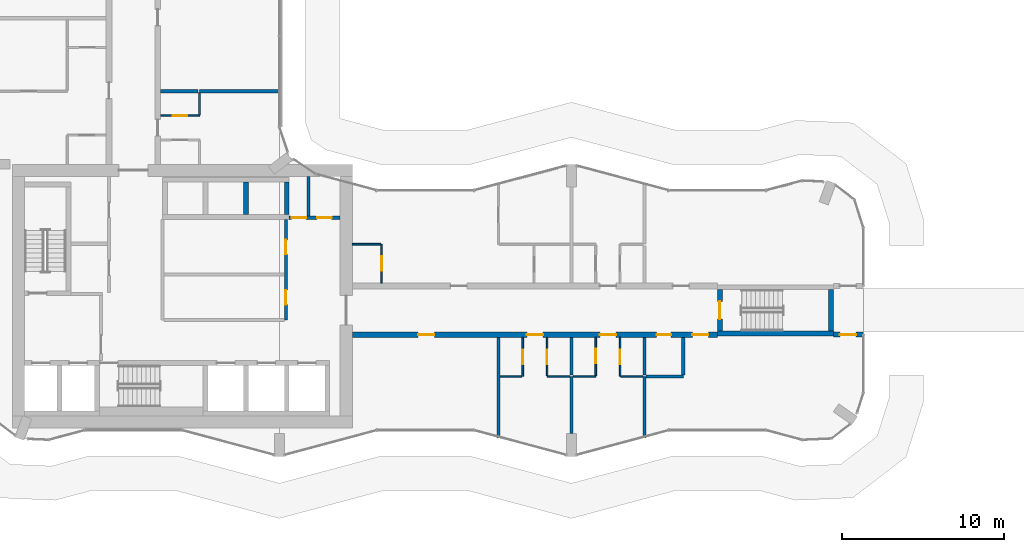
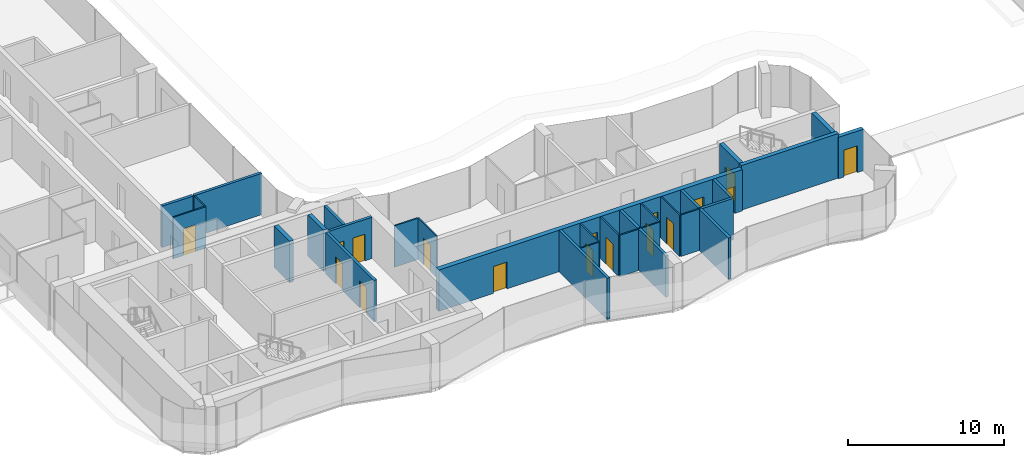
# One storey, part 15 of 24: 31 walls, 17 doors, 17 openings.
"""IFC4 building model written with IfcOpenShell, lengths in metres."""

from ifc_helpers import new_model, si_unit, direction, frame, frame_2d, origin, place, context, subcontext, project, spatial, rectangle, extrude, material, layer, layer_set, type_object, element, fill, save


model = new_model("IFC4")

# Units and contexts
model_context = context("Model", 3, precision=1e-05, world=origin(), true_north=direction((0.0, 1.0)))
body_context = subcontext(model_context, "Body", "Model", "MODEL_VIEW")
ifc_project = project(units=[si_unit("LENGTHUNIT", "METRE"), si_unit("AREAUNIT", "SQUARE_METRE"), si_unit("VOLUMEUNIT", "CUBIC_METRE"), si_unit("PLANEANGLEUNIT", "RADIAN"), si_unit("MASSUNIT", "GRAM", prefix="KILO")], contexts=[model_context])

# Site, building, storey
site_placement = place(None, origin())
site = spatial("IfcSite", under=ifc_project, at=site_placement, CompositionType="ELEMENT")
building_placement = place(site_placement, origin())
building = spatial("IfcBuilding", under=site, at=building_placement, Name="Plateau Cross Towers", CompositionType="ELEMENT")
storey_placement = place(building_placement, frame((0.0, 0.0, 30.300048828125)))
storey = spatial("IfcBuildingStorey", under=building, at=storey_placement, Name="L06", CompositionType="ELEMENT", Elevation=30.300048828125)

# Wall, opening, door
ifc_material_1 = material(Name="Concrete C60/75", Category="concrete")
ifc_layer_1 = layer(ifc_material_1, 0.300048828125)
ifc_layer_set_1 = layer_set([ifc_layer_1], Name="Concrete C60/75")
wall_type_1 = type_object("IfcWallType", Name="Bridge stub wall 300", PredefinedType="SHEAR", material=ifc_layer_set_1)
wall_1_placement = place(storey_placement, frame((52.14990234375, 7.5, 0.0), z_axis=(0.0, 0.0, 1.0), x_axis=(1.0, 0.0, 0.0)))
wall_1 = element("IfcWall", 1, at=wall_1_placement, inside=storey, type_object=wall_type_1, Name="A-end-E-bridge-S@L06", PredefinedType="SHEAR", context=body_context, shape_type="SweptSolid", body=[
    extrude(rectangle(XDim=1.85009765625, YDim=0.300048828125, at=frame_2d((0.925048828125, 0.0))), origin(), (0.0, 0.0, 1.0), 3.25),
])
opening_1_placement = place(wall_1_placement, frame((0.39990234375, 0.0, 0.0)))
opening_1 = element("IfcOpeningElement", 2, at=opening_1_placement, cuts=wall_1, Name="Opening 06-39", PredefinedType="OPENING", context=body_context, shape_type="SweptSolid", body=[
    extrude(rectangle(XDim=1.0, YDim=2.10009765625, at=frame_2d((0.5, 1.050048828125))), frame((0.0, 0.159912109375, 0.0), z_axis=(0.0, -1.0, 0.0), x_axis=(1.0, 0.0, 0.0)), (0.0, 0.0, 1.0), 0.320068359375),
])
ifc_material_2 = material(Name="Timber, fire-resisting leaf", Category="wood")
door_type_1 = type_object("IfcDoorType", Name="Link lounge fire door 1000", OperationType="NOTDEFINED", PredefinedType="DOOR", material=ifc_material_2)
door_1_placement = place(opening_1_placement, origin())
door_1 = element("IfcDoor", 3, at=door_1_placement, inside=storey, type_object=door_type_1, Name="Door 06-39", OperationType="SINGLE_SWING_LEFT", OverallHeight=2.10009765625, OverallWidth=1.0, PredefinedType="DOOR", context=body_context, shape_type="SweptSolid", body=[
    extrude(rectangle(XDim=1.0, YDim=2.10009765625, at=frame_2d((0.5, 1.050048828125))), frame((0.0, 0.02490234375, 0.0), z_axis=(0.0, -1.0, 0.0), x_axis=(1.0, 0.0, 0.0)), (0.0, 0.0, 1.0), 0.050048828125),
])
fill(opening_1, door_1)

# Wall, openings, doors
ifc_material_3 = material(Name="Concrete block, plastered both sides", Category="concrete")
ifc_layer_2 = layer(ifc_material_3, 0.199951171875)
ifc_layer_set_2 = layer_set([ifc_layer_2], Name="Concrete block, plastered both sides")
wall_type_2 = type_object("IfcWallType", Name="Core partition 200", PredefinedType="PARTITIONING", material=ifc_layer_set_2)
wall_2_placement = place(storey_placement, frame((18.39990234375, 8.39990234375, 0.0), z_axis=(0.0, 0.0, 1.0), x_axis=(0.0, 1.0, 0.0)))
wall_2 = element("IfcWall", 4, at=wall_2_placement, inside=storey, type_object=wall_type_2, Name="Core partition", PredefinedType="PARTITIONING", context=body_context, shape_type="SweptSolid", body=[
    extrude(rectangle(XDim=6.2001953125, YDim=0.199951171875, at=frame_2d((3.10009765625, 0.0))), origin(), (0.0, 0.0, 1.0), 3.25),
])
opening_2_placement = place(wall_2_placement, frame((0.949951171875, 0.0, 0.0)))
opening_2 = element("IfcOpeningElement", 5, at=opening_2_placement, cuts=wall_2, Name="Opening RD1", PredefinedType="OPENING", context=body_context, shape_type="SweptSolid", body=[
    extrude(rectangle(XDim=0.89990234375, YDim=2.10009765625, at=frame_2d((0.449951171875, 1.050048828125))), frame((0.0, 0.10986328125, 0.0), z_axis=(0.0, -1.0, 0.0), x_axis=(1.0, 0.0, 0.0)), (0.0, 0.0, 1.0), 0.219970703125),
])
opening_3_placement = place(wall_2_placement, frame((4.050048828125, 0.0, 0.0)))
opening_3 = element("IfcOpeningElement", 6, at=opening_3_placement, cuts=wall_2, Name="Opening RD1", PredefinedType="OPENING", context=body_context, shape_type="SweptSolid", body=[
    extrude(rectangle(XDim=0.89990234375, YDim=2.10009765625, at=frame_2d((0.449951171875, 1.050048828125))), frame((0.0, 0.10986328125, 0.0), z_axis=(0.0, -1.0, 0.0), x_axis=(1.0, 0.0, 0.0)), (0.0, 0.0, 1.0), 0.219970703125),
])
door_type_2 = type_object("IfcDoorType", Name="Core service door 900", OperationType="NOTDEFINED", PredefinedType="DOOR", material=ifc_material_2)
door_2_placement = place(opening_2_placement, origin())
door_2 = element("IfcDoor", 7, at=door_2_placement, inside=storey, type_object=door_type_2, Name="Core service door RD1", OperationType="SINGLE_SWING_LEFT", OverallHeight=2.10009765625, OverallWidth=0.89990234375, PredefinedType="DOOR", context=body_context, shape_type="SweptSolid", body=[
    extrude(rectangle(XDim=0.89990234375, YDim=2.10009765625, at=frame_2d((0.449951171875, 1.050048828125))), frame((0.0, 0.02490234375, 0.0), z_axis=(0.0, -1.0, 0.0), x_axis=(1.0, 0.0, 0.0)), (0.0, 0.0, 1.0), 0.050048828125),
])
fill(opening_2, door_2)
door_3_placement = place(opening_3_placement, origin())
door_3 = element("IfcDoor", 8, at=door_3_placement, inside=storey, type_object=door_type_2, Name="Core service door RD1", OperationType="SINGLE_SWING_LEFT", OverallHeight=2.10009765625, OverallWidth=0.89990234375, PredefinedType="DOOR", context=body_context, shape_type="SweptSolid", body=[
    extrude(rectangle(XDim=0.89990234375, YDim=2.10009765625, at=frame_2d((0.449951171875, 1.050048828125))), frame((0.0, 0.02490234375, 0.0), z_axis=(0.0, -1.0, 0.0), x_axis=(1.0, 0.0, 0.0)), (0.0, 0.0, 1.0), 0.050048828125),
])
fill(opening_3, door_3)

wall_3_placement = place(storey_placement, frame((18.60009765625, 14.699951171875, 0.0), z_axis=(0.0, 0.0, 1.0), x_axis=(1.0, 0.0, 0.0)))
wall_3 = element("IfcWall", 9, at=wall_3_placement, inside=storey, type_object=wall_type_2, Name="Core partition", PredefinedType="PARTITIONING", context=body_context, shape_type="SweptSolid", body=[
    extrude(rectangle(XDim=3.14990234375, YDim=0.199951171875, at=frame_2d((1.574951171875, 0.0))), origin(), (0.0, 0.0, 1.0), 3.25),
])
opening_4_placement = place(wall_3_placement, frame((0.14990234375, 0.0, 0.0)))
opening_4 = element("IfcOpeningElement", 10, at=opening_4_placement, cuts=wall_3, Name="Opening RD2", PredefinedType="OPENING", context=body_context, shape_type="SweptSolid", body=[
    extrude(rectangle(XDim=0.89990234375, YDim=2.10009765625, at=frame_2d((0.449951171875, 1.050048828125))), frame((0.0, 0.10986328125, 0.0), z_axis=(0.0, -1.0, 0.0), x_axis=(1.0, 0.0, 0.0)), (0.0, 0.0, 1.0), 0.219970703125),
])
opening_5_placement = place(wall_3_placement, frame((1.72509765625, 0.0, 0.0)))
opening_5 = element("IfcOpeningElement", 11, at=opening_5_placement, cuts=wall_3, Name="Opening RD2", PredefinedType="OPENING", context=body_context, shape_type="SweptSolid", body=[
    extrude(rectangle(XDim=0.89990234375, YDim=2.10009765625, at=frame_2d((0.449951171875, 1.050048828125))), frame((0.0, 0.10986328125, 0.0), z_axis=(0.0, -1.0, 0.0), x_axis=(1.0, 0.0, 0.0)), (0.0, 0.0, 1.0), 0.219970703125),
])
ifc_material_4 = material(Name="Steel, fire-resisting leaf", Category="steel")
door_type_3 = type_object("IfcDoorType", Name="Core riser door 900", OperationType="NOTDEFINED", PredefinedType="DOOR", material=ifc_material_4)
door_4_placement = place(opening_4_placement, origin())
door_4 = element("IfcDoor", 12, at=door_4_placement, inside=storey, type_object=door_type_3, Name="Core riser door RD2", OperationType="SINGLE_SWING_LEFT", OverallHeight=2.10009765625, OverallWidth=0.89990234375, PredefinedType="DOOR", context=body_context, shape_type="SweptSolid", body=[
    extrude(rectangle(XDim=0.89990234375, YDim=2.10009765625, at=frame_2d((0.449951171875, 1.050048828125))), frame((0.0, 0.02490234375, 0.0), z_axis=(0.0, -1.0, 0.0), x_axis=(1.0, 0.0, 0.0)), (0.0, 0.0, 1.0), 0.050048828125),
])
fill(opening_4, door_4)
door_5_placement = place(opening_5_placement, origin())
door_5 = element("IfcDoor", 13, at=door_5_placement, inside=storey, type_object=door_type_3, Name="Core riser door RD2", OperationType="SINGLE_SWING_LEFT", OverallHeight=2.10009765625, OverallWidth=0.89990234375, PredefinedType="DOOR", context=body_context, shape_type="SweptSolid", body=[
    extrude(rectangle(XDim=0.89990234375, YDim=2.10009765625, at=frame_2d((0.449951171875, 1.050048828125))), frame((0.0, 0.02490234375, 0.0), z_axis=(0.0, -1.0, 0.0), x_axis=(1.0, 0.0, 0.0)), (0.0, 0.0, 1.0), 0.050048828125),
])
fill(opening_5, door_5)

# Walls
wall_4_placement = place(storey_placement, frame((19.800048828125, 14.800048828125, 0.0), z_axis=(0.0, 0.0, 1.0), x_axis=(0.0, 1.0, 0.0)))
element("IfcWall", 14, at=wall_4_placement, inside=storey, type_object=wall_type_2, Name="Core partition", PredefinedType="PARTITIONING", context=body_context, shape_type="SweptSolid", body=[
    extrude(rectangle(XDim=2.449951171875, YDim=0.199951171875, at=frame_2d((1.22509765625, 0.0))), origin(), (0.0, 0.0, 1.0), 3.25),
])
ifc_layer_3 = layer(ifc_material_1, 0.300048828125)
ifc_layer_set_3 = layer_set([ifc_layer_3], Name="Concrete C60/75")
wall_type_3 = type_object("IfcWallType", Name="Core shaft wall 300", PredefinedType="SHEAR", material=ifc_layer_set_3)
for number, where, z_axis, x_axis, name in (
    (15, (15.949951171875, 14.89990234375, 0.0), (0.0, 0.0, 1.0), (0.0, 1.0, 0.0), "A-nb-v3@L06"),
    (16, (18.449951171875, 14.89990234375, 0.0), (0.0, 0.0, 1.0), (0.0, 1.0, 0.0), "A-nb-v4@L06"),
):
    element("IfcWall", number, at=place(storey_placement, frame(where, z_axis=z_axis, x_axis=x_axis)), inside=storey, type_object=wall_type_3, Name=name, PredefinedType="SHEAR", context=body_context, shape_type="SweptSolid", body=[
        extrude(rectangle(XDim=2.0, YDim=0.300048828125, at=frame_2d((1.0, 0.0))), origin(), (0.0, 0.0, 1.0), 3.25),
    ])

# Wall, openings, doors
ifc_layer_4 = layer(ifc_material_1, 0.35009765625)
ifc_layer_set_4 = layer_set([ifc_layer_4], Name="Concrete C60/75")
wall_type_4 = type_object("IfcWallType", Name="Corridor wall 350", PredefinedType="SHEAR", material=ifc_layer_set_4)
wall_5_placement = place(storey_placement, frame((22.5, 7.5, 0.0), z_axis=(0.0, 0.0, 1.0), x_axis=(1.0, 0.0, 0.0)))
wall_5 = element("IfcWall", 17, at=wall_5_placement, inside=storey, type_object=wall_type_4, Name="A-cw-S1@L06", PredefinedType="SHEAR", context=body_context, shape_type="SweptSolid", body=[
    extrude(rectangle(XDim=22.5, YDim=0.35009765625, at=frame_2d((11.25, 0.0))), origin(), (0.0, 0.0, 1.0), 3.25),
])
opening_6_placement = place(wall_5_placement, frame((4.050048828125, 0.0, 0.0)))
opening_6 = element("IfcOpeningElement", 18, at=opening_6_placement, cuts=wall_5, Name="Opening 06-01", PredefinedType="OPENING", context=body_context, shape_type="SweptSolid", body=[
    extrude(rectangle(XDim=1.0, YDim=2.10009765625, at=frame_2d((0.5, 1.050048828125))), frame((0.0, 0.18505859375, 0.0), z_axis=(0.0, -1.0, 0.0), x_axis=(1.0, 0.0, 0.0)), (0.0, 0.0, 1.0), 0.3701171875),
])
opening_7_placement = place(wall_5_placement, frame((10.75, 0.0, 0.0)))
opening_7 = element("IfcOpeningElement", 19, at=opening_7_placement, cuts=wall_5, Name="Opening 06-02", PredefinedType="OPENING", context=body_context, shape_type="SweptSolid", body=[
    extrude(rectangle(XDim=1.0, YDim=2.10009765625, at=frame_2d((0.5, 1.050048828125))), frame((0.0, 0.18505859375, 0.0), z_axis=(0.0, -1.0, 0.0), x_axis=(1.0, 0.0, 0.0)), (0.0, 0.0, 1.0), 0.3701171875),
])
opening_8_placement = place(wall_5_placement, frame((15.25, 0.0, 0.0)))
opening_8 = element("IfcOpeningElement", 20, at=opening_8_placement, cuts=wall_5, Name="Opening 06-03", PredefinedType="OPENING", context=body_context, shape_type="SweptSolid", body=[
    extrude(rectangle(XDim=1.0, YDim=2.10009765625, at=frame_2d((0.5, 1.050048828125))), frame((0.0, 0.18505859375, 0.0), z_axis=(0.0, -1.0, 0.0), x_axis=(1.0, 0.0, 0.0)), (0.0, 0.0, 1.0), 0.3701171875),
])
opening_9_placement = place(wall_5_placement, frame((18.75, 0.0, 0.0)))
opening_9 = element("IfcOpeningElement", 21, at=opening_9_placement, cuts=wall_5, Name="Opening 06-04", PredefinedType="OPENING", context=body_context, shape_type="SweptSolid", body=[
    extrude(rectangle(XDim=0.89990234375, YDim=2.10009765625, at=frame_2d((0.449951171875, 1.050048828125))), frame((0.0, 0.18505859375, 0.0), z_axis=(0.0, -1.0, 0.0), x_axis=(1.0, 0.0, 0.0)), (0.0, 0.0, 1.0), 0.3701171875),
])
opening_10_placement = place(wall_5_placement, frame((20.949951171875, 0.0, 0.0)))
opening_10 = element("IfcOpeningElement", 22, at=opening_10_placement, cuts=wall_5, Name="Opening 06-05", PredefinedType="OPENING", context=body_context, shape_type="SweptSolid", body=[
    extrude(rectangle(XDim=1.0, YDim=2.10009765625, at=frame_2d((0.5, 1.050048828125))), frame((0.0, 0.18505859375, 0.0), z_axis=(0.0, -1.0, 0.0), x_axis=(1.0, 0.0, 0.0)), (0.0, 0.0, 1.0), 0.3701171875),
])
door_type_4 = type_object("IfcDoorType", Name="Flat entrance door 1000", OperationType="NOTDEFINED", PredefinedType="DOOR", material=ifc_material_2)
door_6_placement = place(opening_6_placement, origin())
door_6 = element("IfcDoor", 23, at=door_6_placement, inside=storey, type_object=door_type_4, Name="Door 06-01", OperationType="SINGLE_SWING_LEFT", OverallHeight=2.10009765625, OverallWidth=1.0, PredefinedType="DOOR", context=body_context, shape_type="SweptSolid", body=[
    extrude(rectangle(XDim=1.0, YDim=2.10009765625, at=frame_2d((0.5, 1.050048828125))), frame((0.0, 0.02490234375, 0.0), z_axis=(0.0, -1.0, 0.0), x_axis=(1.0, 0.0, 0.0)), (0.0, 0.0, 1.0), 0.050048828125),
])
fill(opening_6, door_6)
door_7_placement = place(opening_7_placement, origin())
door_7 = element("IfcDoor", 24, at=door_7_placement, inside=storey, type_object=door_type_4, Name="Door 06-02", OperationType="SINGLE_SWING_LEFT", OverallHeight=2.10009765625, OverallWidth=1.0, PredefinedType="DOOR", context=body_context, shape_type="SweptSolid", body=[
    extrude(rectangle(XDim=1.0, YDim=2.10009765625, at=frame_2d((0.5, 1.050048828125))), frame((0.0, 0.02490234375, 0.0), z_axis=(0.0, -1.0, 0.0), x_axis=(1.0, 0.0, 0.0)), (0.0, 0.0, 1.0), 0.050048828125),
])
fill(opening_7, door_7)
door_8_placement = place(opening_8_placement, origin())
door_8 = element("IfcDoor", 25, at=door_8_placement, inside=storey, type_object=door_type_4, Name="Door 06-03", OperationType="SINGLE_SWING_RIGHT", OverallHeight=2.10009765625, OverallWidth=1.0, PredefinedType="DOOR", context=body_context, shape_type="SweptSolid", body=[
    extrude(rectangle(XDim=1.0, YDim=2.10009765625, at=frame_2d((0.5, 1.050048828125))), frame((0.0, 0.02490234375, 0.0), z_axis=(0.0, -1.0, 0.0), x_axis=(1.0, 0.0, 0.0)), (0.0, 0.0, 1.0), 0.050048828125),
])
fill(opening_8, door_8)
door_9_placement = place(opening_10_placement, origin())
door_9 = element("IfcDoor", 26, at=door_9_placement, inside=storey, type_object=door_type_4, Name="Door 06-05", OperationType="SINGLE_SWING_RIGHT", OverallHeight=2.10009765625, OverallWidth=1.0, PredefinedType="DOOR", context=body_context, shape_type="SweptSolid", body=[
    extrude(rectangle(XDim=1.0, YDim=2.10009765625, at=frame_2d((0.5, 1.050048828125))), frame((0.0, 0.02490234375, 0.0), z_axis=(0.0, -1.0, 0.0), x_axis=(1.0, 0.0, 0.0)), (0.0, 0.0, 1.0), 0.050048828125),
])
fill(opening_10, door_9)
door_type_5 = type_object("IfcDoorType", Name="Flat floor service door 900", OperationType="NOTDEFINED", PredefinedType="DOOR", material=ifc_material_2)
door_10_placement = place(opening_9_placement, origin())
door_10 = element("IfcDoor", 27, at=door_10_placement, inside=storey, type_object=door_type_5, Name="Door 06-04", OperationType="SINGLE_SWING_RIGHT", OverallHeight=2.10009765625, OverallWidth=0.89990234375, PredefinedType="DOOR", context=body_context, shape_type="SweptSolid", body=[
    extrude(rectangle(XDim=0.89990234375, YDim=2.10009765625, at=frame_2d((0.449951171875, 1.050048828125))), frame((0.0, 0.02490234375, 0.0), z_axis=(0.0, -1.0, 0.0), x_axis=(1.0, 0.0, 0.0)), (0.0, 0.0, 1.0), 0.050048828125),
])
fill(opening_9, door_10)

# Walls
ifc_material_5 = material(Name="Gypsum board on steel studs", Category="steel")
ifc_layer_5 = layer(ifc_material_5, 0.10009765625)
ifc_layer_set_5 = layer_set([ifc_layer_5], Name="Gypsum board on steel studs")
wall_type_5 = type_object("IfcWallType", Name="Flat partition 100", PredefinedType="PARTITIONING", material=ifc_layer_set_5)
wall_6_placement = place(storey_placement, frame((31.60009765625, 4.925048828125, 0.0), z_axis=(0.0, 0.0, 1.0), x_axis=(1.0, 0.0, 0.0)))
element("IfcWall", 28, at=wall_6_placement, inside=storey, type_object=wall_type_5, Name="Partition wall", PredefinedType="PARTITIONING", context=body_context, shape_type="SweptSolid", body=[
    extrude(rectangle(XDim=1.349853515625, YDim=0.10009765625, at=frame_2d((0.6748046875, 0.0))), origin(), (0.0, 0.0, 1.0), 3.25),
])
for number, where, z_axis, x_axis, name in (
    (29, (34.5, 4.925048828125, 0.0), (0.0, 0.0, 1.0), (1.0, 0.0, 0.0), "Partition wall"),
    (30, (36.10009765625, 4.925048828125, 0.0), (0.0, 0.0, 1.0), (1.0, 0.0, 0.0), "Partition wall"),
):
    element("IfcWall", number, at=place(storey_placement, frame(where, z_axis=z_axis, x_axis=x_axis)), inside=storey, type_object=wall_type_5, Name=name, PredefinedType="PARTITIONING", context=body_context, shape_type="SweptSolid", body=[
        extrude(rectangle(XDim=1.39990234375, YDim=0.10009765625, at=frame_2d((0.699951171875, 0.0))), origin(), (0.0, 0.0, 1.0), 3.25),
    ])
wall_7_placement = place(storey_placement, frame((39.050048828125, 4.925048828125, 0.0), z_axis=(0.0, 0.0, 1.0), x_axis=(1.0, 0.0, 0.0)))
element("IfcWall", 31, at=wall_7_placement, inside=storey, type_object=wall_type_5, Name="Partition wall", PredefinedType="PARTITIONING", context=body_context, shape_type="SweptSolid", body=[
    extrude(rectangle(XDim=1.349853515625, YDim=0.10009765625, at=frame_2d((0.6748046875, 0.0))), origin(), (0.0, 0.0, 1.0), 3.25),
])
wall_8_placement = place(storey_placement, frame((24.25, 13.074951171875, 0.0), z_axis=(0.0, 0.0, 1.0), x_axis=(-1.0, 0.0, 0.0)))
element("IfcWall", 32, at=wall_8_placement, inside=storey, type_object=wall_type_5, Name="Partition wall", PredefinedType="PARTITIONING", context=body_context, shape_type="SweptSolid", body=[
    extrude(rectangle(XDim=1.75, YDim=0.10009765625, at=frame_2d((0.875, 0.0))), origin(), (0.0, 0.0, 1.0), 3.25),
])

# Wall, opening, door
wall_9_placement = place(storey_placement, frame((10.675048828125, 21.0, 0.0), z_axis=(0.0, 0.0, 1.0), x_axis=(1.0, 0.0, 0.0)))
wall_9 = element("IfcWall", 33, at=wall_9_placement, inside=storey, type_object=wall_type_5, Name="Partition wall", PredefinedType="PARTITIONING", context=body_context, shape_type="SweptSolid", body=[
    extrude(rectangle(XDim=2.39990234375, YDim=0.10009765625, at=frame_2d((1.199951171875, 0.0))), origin(), (0.0, 0.0, 1.0), 3.25),
])
opening_11_placement = place(wall_9_placement, frame((0.75, 0.0, 0.0)))
opening_11 = element("IfcOpeningElement", 34, at=opening_11_placement, cuts=wall_9, Name="Opening 06-36", PredefinedType="OPENING", context=body_context, shape_type="SweptSolid", body=[
    extrude(rectangle(XDim=0.89990234375, YDim=2.10009765625, at=frame_2d((0.449951171875, 1.050048828125))), frame((0.0, 0.06005859375, 0.0), z_axis=(0.0, -1.0, 0.0), x_axis=(1.0, 0.0, 0.0)), (0.0, 0.0, 1.0), 0.1201171875),
])
ifc_material_6 = material(Name="Timber leaf", Category="wood")
door_type_6 = type_object("IfcDoorType", Name="Flat room door 900", OperationType="NOTDEFINED", PredefinedType="DOOR", material=ifc_material_6)
door_11_placement = place(opening_11_placement, origin())
door_11 = element("IfcDoor", 35, at=door_11_placement, inside=storey, type_object=door_type_6, Name="Door 06-36", OperationType="SINGLE_SWING_RIGHT", OverallHeight=2.10009765625, OverallWidth=0.89990234375, PredefinedType="DOOR", context=body_context, shape_type="SweptSolid", body=[
    extrude(rectangle(XDim=0.89990234375, YDim=2.10009765625, at=frame_2d((0.449951171875, 1.050048828125))), frame((0.0, 0.02490234375, 0.0), z_axis=(0.0, -1.0, 0.0), x_axis=(1.0, 0.0, 0.0)), (0.0, 0.0, 1.0), 0.050048828125),
])
fill(opening_11, door_11)

# Wall
wall_10_placement = place(storey_placement, frame((13.074951171875, 21.050048828125, 0.0), z_axis=(0.0, 0.0, 1.0), x_axis=(0.0, 1.0, 0.0)))
element("IfcWall", 36, at=wall_10_placement, inside=storey, type_object=wall_type_5, Name="Partition wall", PredefinedType="PARTITIONING", context=body_context, shape_type="SweptSolid", body=[
    extrude(rectangle(XDim=1.349853515625, YDim=0.10009765625, at=frame_2d((0.6748046875, 0.0))), origin(), (0.0, 0.0, 1.0), 3.25),
])

# Wall, opening, door
wall_11_placement = place(storey_placement, frame((24.300048828125, 10.675048828125, 0.0), z_axis=(0.0, 0.0, 1.0), x_axis=(0.0, 1.0, 0.0)))
wall_11 = element("IfcWall", 37, at=wall_11_placement, inside=storey, type_object=wall_type_5, Name="Partition wall", PredefinedType="PARTITIONING", context=body_context, shape_type="SweptSolid", body=[
    extrude(rectangle(XDim=2.39990234375, YDim=0.10009765625, at=frame_2d((1.199951171875, 0.0))), origin(), (0.0, 0.0, 1.0), 3.25),
])
opening_12_placement = place(wall_11_placement, frame((0.75, 0.0, 0.0)))
opening_12 = element("IfcOpeningElement", 38, at=opening_12_placement, cuts=wall_11, Name="Opening 06-22", PredefinedType="OPENING", context=body_context, shape_type="SweptSolid", body=[
    extrude(rectangle(XDim=0.89990234375, YDim=2.10009765625, at=frame_2d((0.449951171875, 1.050048828125))), frame((0.0, 0.06005859375, 0.0), z_axis=(0.0, -1.0, 0.0), x_axis=(1.0, 0.0, 0.0)), (0.0, 0.0, 1.0), 0.1201171875),
])
door_12_placement = place(opening_12_placement, origin())
door_12 = element("IfcDoor", 39, at=door_12_placement, inside=storey, type_object=door_type_6, Name="Door 06-22", OperationType="SINGLE_SWING_RIGHT", OverallHeight=2.10009765625, OverallWidth=0.89990234375, PredefinedType="DOOR", context=body_context, shape_type="SweptSolid", body=[
    extrude(rectangle(XDim=0.89990234375, YDim=2.10009765625, at=frame_2d((0.449951171875, 1.050048828125))), frame((0.0, 0.02490234375, 0.0), z_axis=(0.0, -1.0, 0.0), x_axis=(1.0, 0.0, 0.0)), (0.0, 0.0, 1.0), 0.050048828125),
])
fill(opening_12, door_12)

wall_12_placement = place(storey_placement, frame((33.0, 4.925048828125, 0.0), z_axis=(0.0, 0.0, 1.0), x_axis=(0.0, 1.0, 0.0)))
wall_12 = element("IfcWall", 40, at=wall_12_placement, inside=storey, type_object=wall_type_5, Name="Partition wall", PredefinedType="PARTITIONING", context=body_context, shape_type="SweptSolid", body=[
    extrude(rectangle(XDim=2.39990234375, YDim=0.10009765625, at=frame_2d((1.199951171875, 0.0))), origin(), (0.0, 0.0, 1.0), 3.25),
])
opening_13_placement = place(wall_12_placement, frame((0.75, 0.0, 0.0)))
opening_13 = element("IfcOpeningElement", 41, at=opening_13_placement, cuts=wall_12, Name="Opening 06-18", PredefinedType="OPENING", context=body_context, shape_type="SweptSolid", body=[
    extrude(rectangle(XDim=0.89990234375, YDim=2.10009765625, at=frame_2d((0.449951171875, 1.050048828125))), frame((0.0, 0.06005859375, 0.0), z_axis=(0.0, -1.0, 0.0), x_axis=(1.0, 0.0, 0.0)), (0.0, 0.0, 1.0), 0.1201171875),
])
door_13_placement = place(opening_13_placement, origin())
door_13 = element("IfcDoor", 42, at=door_13_placement, inside=storey, type_object=door_type_6, Name="Door 06-18", OperationType="SINGLE_SWING_LEFT", OverallHeight=2.10009765625, OverallWidth=0.89990234375, PredefinedType="DOOR", context=body_context, shape_type="SweptSolid", body=[
    extrude(rectangle(XDim=0.89990234375, YDim=2.10009765625, at=frame_2d((0.449951171875, 1.050048828125))), frame((0.0, 0.02490234375, 0.0), z_axis=(0.0, -1.0, 0.0), x_axis=(1.0, 0.0, 0.0)), (0.0, 0.0, 1.0), 0.050048828125),
])
fill(opening_13, door_13)

wall_13_placement = place(storey_placement, frame((34.5, 7.324951171875, 0.0), z_axis=(0.0, 0.0, 1.0), x_axis=(0.0, -1.0, 0.0)))
wall_13 = element("IfcWall", 43, at=wall_13_placement, inside=storey, type_object=wall_type_5, Name="Partition wall", PredefinedType="PARTITIONING", context=body_context, shape_type="SweptSolid", body=[
    extrude(rectangle(XDim=2.349853515625, YDim=0.10009765625, at=frame_2d((1.1748046875, 0.0))), origin(), (0.0, 0.0, 1.0), 3.25),
])
opening_14_placement = place(wall_13_placement, frame((0.75, 0.0, 0.0)))
opening_14 = element("IfcOpeningElement", 44, at=opening_14_placement, cuts=wall_13, Name="Opening 06-19", PredefinedType="OPENING", context=body_context, shape_type="SweptSolid", body=[
    extrude(rectangle(XDim=0.89990234375, YDim=2.10009765625, at=frame_2d((0.449951171875, 1.050048828125))), frame((0.0, 0.06005859375, 0.0), z_axis=(0.0, -1.0, 0.0), x_axis=(1.0, 0.0, 0.0)), (0.0, 0.0, 1.0), 0.1201171875),
])
door_14_placement = place(opening_14_placement, origin())
door_14 = element("IfcDoor", 45, at=door_14_placement, inside=storey, type_object=door_type_6, Name="Door 06-19", OperationType="SINGLE_SWING_RIGHT", OverallHeight=2.10009765625, OverallWidth=0.89990234375, PredefinedType="DOOR", context=body_context, shape_type="SweptSolid", body=[
    extrude(rectangle(XDim=0.89990234375, YDim=2.10009765625, at=frame_2d((0.449951171875, 1.050048828125))), frame((0.0, 0.02490234375, 0.0), z_axis=(0.0, -1.0, 0.0), x_axis=(1.0, 0.0, 0.0)), (0.0, 0.0, 1.0), 0.050048828125),
])
fill(opening_14, door_14)

wall_14_placement = place(storey_placement, frame((37.5, 4.97509765625, 0.0), z_axis=(0.0, 0.0, 1.0), x_axis=(0.0, 1.0, 0.0)))
wall_14 = element("IfcWall", 46, at=wall_14_placement, inside=storey, type_object=wall_type_5, Name="Partition wall", PredefinedType="PARTITIONING", context=body_context, shape_type="SweptSolid", body=[
    extrude(rectangle(XDim=2.349853515625, YDim=0.10009765625, at=frame_2d((1.1748046875, 0.0))), origin(), (0.0, 0.0, 1.0), 3.25),
])
opening_15_placement = place(wall_14_placement, frame((0.75, 0.0, 0.0)))
opening_15 = element("IfcOpeningElement", 47, at=opening_15_placement, cuts=wall_14, Name="Opening 06-20", PredefinedType="OPENING", context=body_context, shape_type="SweptSolid", body=[
    extrude(rectangle(XDim=0.89990234375, YDim=2.10009765625, at=frame_2d((0.449951171875, 1.050048828125))), frame((0.0, 0.06005859375, 0.0), z_axis=(0.0, -1.0, 0.0), x_axis=(1.0, 0.0, 0.0)), (0.0, 0.0, 1.0), 0.1201171875),
])
door_15_placement = place(opening_15_placement, origin())
door_15 = element("IfcDoor", 48, at=door_15_placement, inside=storey, type_object=door_type_6, Name="Door 06-20", OperationType="SINGLE_SWING_RIGHT", OverallHeight=2.10009765625, OverallWidth=0.89990234375, PredefinedType="DOOR", context=body_context, shape_type="SweptSolid", body=[
    extrude(rectangle(XDim=0.89990234375, YDim=2.10009765625, at=frame_2d((0.449951171875, 1.050048828125))), frame((0.0, 0.02490234375, 0.0), z_axis=(0.0, -1.0, 0.0), x_axis=(1.0, 0.0, 0.0)), (0.0, 0.0, 1.0), 0.050048828125),
])
fill(opening_15, door_15)

wall_15_placement = place(storey_placement, frame((39.0, 7.324951171875, 0.0), z_axis=(0.0, 0.0, 1.0), x_axis=(0.0, -1.0, 0.0)))
wall_15 = element("IfcWall", 49, at=wall_15_placement, inside=storey, type_object=wall_type_5, Name="Partition wall", PredefinedType="PARTITIONING", context=body_context, shape_type="SweptSolid", body=[
    extrude(rectangle(XDim=2.39990234375, YDim=0.10009765625, at=frame_2d((1.199951171875, 0.0))), origin(), (0.0, 0.0, 1.0), 3.25),
])
opening_16_placement = place(wall_15_placement, frame((0.75, 0.0, 0.0)))
opening_16 = element("IfcOpeningElement", 50, at=opening_16_placement, cuts=wall_15, Name="Opening 06-21", PredefinedType="OPENING", context=body_context, shape_type="SweptSolid", body=[
    extrude(rectangle(XDim=0.89990234375, YDim=2.10009765625, at=frame_2d((0.449951171875, 1.050048828125))), frame((0.0, 0.06005859375, 0.0), z_axis=(0.0, -1.0, 0.0), x_axis=(1.0, 0.0, 0.0)), (0.0, 0.0, 1.0), 0.1201171875),
])
door_16_placement = place(opening_16_placement, origin())
door_16 = element("IfcDoor", 51, at=door_16_placement, inside=storey, type_object=door_type_6, Name="Door 06-21", OperationType="SINGLE_SWING_LEFT", OverallHeight=2.10009765625, OverallWidth=0.89990234375, PredefinedType="DOOR", context=body_context, shape_type="SweptSolid", body=[
    extrude(rectangle(XDim=0.89990234375, YDim=2.10009765625, at=frame_2d((0.449951171875, 1.050048828125))), frame((0.0, 0.02490234375, 0.0), z_axis=(0.0, -1.0, 0.0), x_axis=(1.0, 0.0, 0.0)), (0.0, 0.0, 1.0), 0.050048828125),
])
fill(opening_16, door_16)

# Walls
ifc_material_7 = material(Name="Gypsum board on steel studs, two layers each side", Category="steel")
ifc_layer_6 = layer(ifc_material_7, 0.199951171875)
ifc_layer_set_6 = layer_set([ifc_layer_6], Name="Gypsum board on steel studs, two layers each side")
wall_type_6 = type_object("IfcWallType", Name="Flat party wall 200", PredefinedType="PARTITIONING", material=ifc_layer_set_6)
wall_16_placement = place(storey_placement, frame((40.60009765625, 4.925048828125, 0.0), z_axis=(0.0, 0.0, 1.0), x_axis=(1.0, 0.0, 0.0)))
element("IfcWall", 52, at=wall_16_placement, inside=storey, type_object=wall_type_6, Name="Party wall", PredefinedType="PARTITIONING", context=body_context, shape_type="SweptSolid", body=[
    extrude(rectangle(XDim=2.2998046875, YDim=0.199951171875, at=frame_2d((1.14990234375, 0.0))), origin(), (0.0, 0.0, 1.0), 3.25),
])
wall_17_placement = place(storey_placement, frame((12.97509765625, 22.5, 0.0), z_axis=(0.0, 0.0, 1.0), x_axis=(-1.0, 0.0, 0.0)))
element("IfcWall", 53, at=wall_17_placement, inside=storey, type_object=wall_type_6, Name="Party wall", PredefinedType="PARTITIONING", context=body_context, shape_type="SweptSolid", body=[
    extrude(rectangle(XDim=2.300048828125, YDim=0.199951171875, at=frame_2d((1.14990234375, 0.0))), origin(), (0.0, 0.0, 1.0), 3.25),
])
wall_18_placement = place(storey_placement, frame((13.074951171875, 22.5, 0.0), z_axis=(0.0, 0.0, 1.0), x_axis=(1.0, 0.0, 0.0)))
element("IfcWall", 54, at=wall_18_placement, inside=storey, type_object=wall_type_6, Name="Party wall", PredefinedType="PARTITIONING", context=body_context, shape_type="SweptSolid", body=[
    extrude(rectangle(XDim=5.005126953125, YDim=0.199951171875, at=frame_2d((2.50244140625, 0.0))), origin(), (0.0, 0.0, 1.0), 3.25),
])
wall_19_placement = place(storey_placement, frame((31.5, 1.122314453125, 0.0), z_axis=(0.0, 0.0, 1.0), x_axis=(0.0, 1.0, 0.0)))
element("IfcWall", 55, at=wall_19_placement, inside=storey, type_object=wall_type_6, Name="Party wall", PredefinedType="PARTITIONING", context=body_context, shape_type="SweptSolid", body=[
    extrude(rectangle(XDim=6.20263671875, YDim=0.199951171875, at=frame_2d((3.101318359375, 0.0))), origin(), (0.0, 0.0, 1.0), 3.25),
])
wall_20_placement = place(storey_placement, frame((36.0, 4.925048828125, 0.0), z_axis=(0.0, 0.0, 1.0), x_axis=(0.0, -1.0, 0.0)))
element("IfcWall", 56, at=wall_20_placement, inside=storey, type_object=wall_type_6, Name="Party wall", PredefinedType="PARTITIONING", context=body_context, shape_type="SweptSolid", body=[
    extrude(rectangle(XDim=3.525146484375, YDim=0.199951171875, at=frame_2d((1.7626953125, 0.0))), origin(), (0.0, 0.0, 1.0), 3.25),
])
wall_21_placement = place(storey_placement, frame((36.0, 5.02490234375, 0.0), z_axis=(0.0, 0.0, 1.0), x_axis=(0.0, 1.0, 0.0)))
element("IfcWall", 57, at=wall_21_placement, inside=storey, type_object=wall_type_6, Name="Party wall", PredefinedType="PARTITIONING", context=body_context, shape_type="SweptSolid", body=[
    extrude(rectangle(XDim=2.300048828125, YDim=0.199951171875, at=frame_2d((1.14990234375, 0.0))), origin(), (0.0, 0.0, 1.0), 3.25),
])
wall_22_placement = place(storey_placement, frame((40.5, 4.925048828125, 0.0), z_axis=(0.0, 0.0, 1.0), x_axis=(0.0, -1.0, 0.0)))
element("IfcWall", 58, at=wall_22_placement, inside=storey, type_object=wall_type_6, Name="Party wall", PredefinedType="PARTITIONING", context=body_context, shape_type="SweptSolid", body=[
    extrude(rectangle(XDim=3.802734375, YDim=0.199951171875, at=frame_2d((1.9013671875, 0.0))), origin(), (0.0, 0.0, 1.0), 3.25),
])
for number, where, z_axis, x_axis, name in (
    (59, (40.5, 5.02490234375, 0.0), (0.0, 0.0, 1.0), (0.0, 1.0, 0.0), "Party wall"),
    (60, (42.89990234375, 5.02490234375, 0.0), (0.0, 0.0, 1.0), (0.0, 1.0, 0.0), "Party wall"),
):
    element("IfcWall", number, at=place(storey_placement, frame(where, z_axis=z_axis, x_axis=x_axis)), inside=storey, type_object=wall_type_6, Name=name, PredefinedType="PARTITIONING", context=body_context, shape_type="SweptSolid", body=[
        extrude(rectangle(XDim=2.300048828125, YDim=0.199951171875, at=frame_2d((1.14990234375, 0.0))), origin(), (0.0, 0.0, 1.0), 3.25),
    ])

# Wall, opening, door
ifc_layer_7 = layer(ifc_material_1, 0.300048828125)
ifc_layer_set_7 = layer_set([ifc_layer_7], Name="Concrete C60/75")
wall_type_7 = type_object("IfcWallType", Name="Stair tower wall 300", PredefinedType="SHEAR", material=ifc_layer_set_7)
wall_23_placement = place(storey_placement, frame((45.14990234375, 7.72509765625, 0.0), z_axis=(0.0, 0.0, 1.0), x_axis=(0.0, 1.0, 0.0)))
wall_23 = element("IfcWall", 61, at=wall_23_placement, inside=storey, type_object=wall_type_7, Name="A-end-E-W@L06", PredefinedType="SHEAR", context=body_context, shape_type="SweptSolid", body=[
    extrude(rectangle(XDim=2.5498046875, YDim=0.300048828125, at=frame_2d((1.27490234375, 0.0))), origin(), (0.0, 0.0, 1.0), 3.5),
])
opening_17_placement = place(wall_23_placement, frame((0.72509765625, 0.0, 0.0)))
opening_17 = element("IfcOpeningElement", 62, at=opening_17_placement, cuts=wall_23, Name="Opening SD", PredefinedType="OPENING", context=body_context, shape_type="SweptSolid", body=[
    extrude(rectangle(XDim=1.10009765625, YDim=2.10009765625, at=frame_2d((0.550048828125, 1.050048828125))), frame((0.0, 0.159912109375, 0.0), z_axis=(0.0, -1.0, 0.0), x_axis=(1.0, 0.0, 0.0)), (0.0, 0.0, 1.0), 0.320068359375),
])
door_type_7 = type_object("IfcDoorType", Name="Stair door 1100", OperationType="NOTDEFINED", PredefinedType="DOOR", material=ifc_material_4)
door_17_placement = place(opening_17_placement, origin())
door_17 = element("IfcDoor", 63, at=door_17_placement, inside=storey, type_object=door_type_7, Name="Stair door SD", OperationType="SINGLE_SWING_LEFT", OverallHeight=2.10009765625, OverallWidth=1.10009765625, PredefinedType="DOOR", context=body_context, shape_type="SweptSolid", body=[
    extrude(rectangle(XDim=1.10009765625, YDim=2.10009765625, at=frame_2d((0.550048828125, 1.050048828125))), frame((0.0, 0.02490234375, 0.0), z_axis=(0.0, -1.0, 0.0), x_axis=(1.0, 0.0, 0.0)), (0.0, 0.0, 1.0), 0.050048828125),
])
fill(opening_17, door_17)

# Walls
wall_24_placement = place(storey_placement, frame((52.0, 7.72509765625, 0.0), z_axis=(0.0, 0.0, 1.0), x_axis=(0.0, 1.0, 0.0)))
element("IfcWall", 64, at=wall_24_placement, inside=storey, type_object=wall_type_7, Name="A-end-E-E@L06", PredefinedType="SHEAR", context=body_context, shape_type="SweptSolid", body=[
    extrude(rectangle(XDim=2.5498046875, YDim=0.300048828125, at=frame_2d((1.27490234375, 0.0))), origin(), (0.0, 0.0, 1.0), 3.5),
])
wall_25_placement = place(storey_placement, frame((45.0, 7.574951171875, 0.0), z_axis=(0.0, 0.0, 1.0), x_axis=(1.0, 0.0, 0.0)))
element("IfcWall", 65, at=wall_25_placement, inside=storey, type_object=wall_type_7, Name="A-end-E-S@L06", PredefinedType="SHEAR", context=body_context, shape_type="SweptSolid", body=[
    extrude(rectangle(XDim=7.199951171875, YDim=0.300048828125, at=frame_2d((3.60009765625, 0.0))), origin(), (0.0, 0.0, 1.0), 3.5),
])

save(model, "model.ifc")
